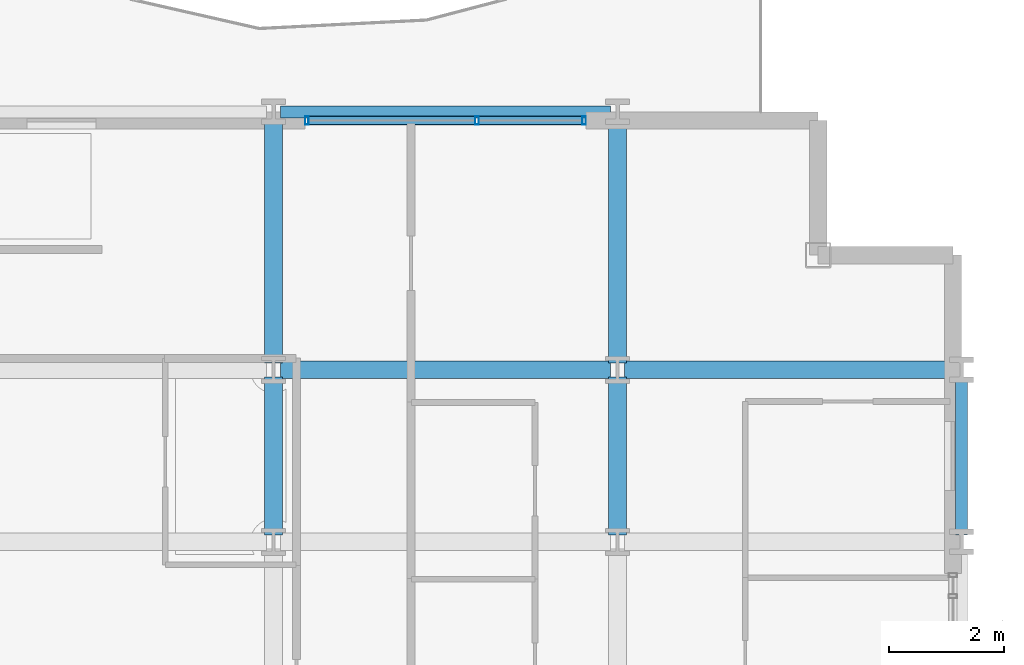
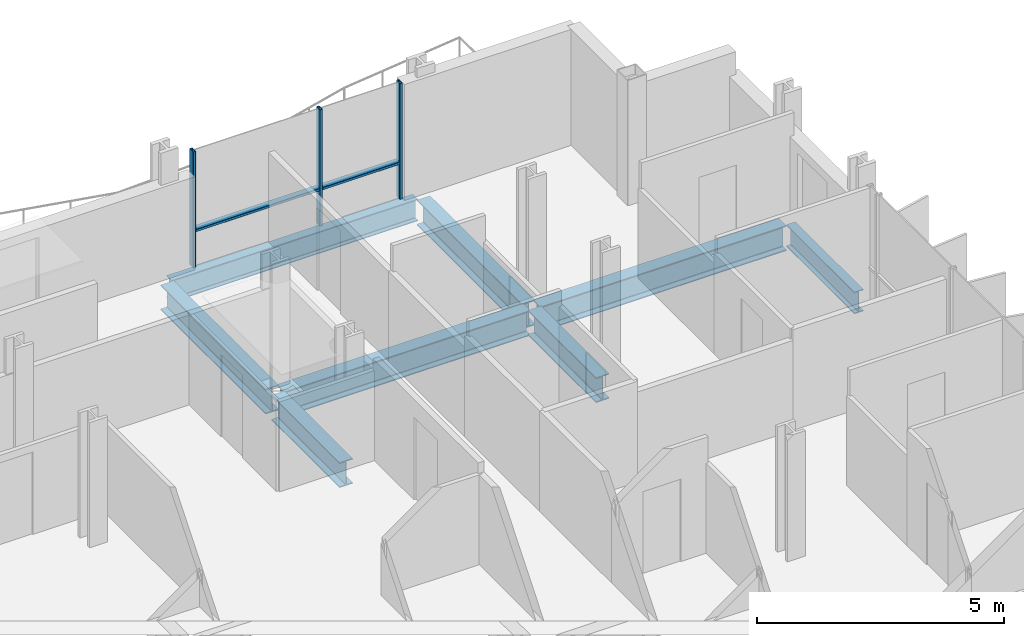
# One storey, part 20 of 38: 8 beams, 5 members, 1 element without a shape of its own.
"""IFC4 building model written with IfcOpenShell, lengths in metres."""

from ifc_helpers import new_model, si_unit, direction, frame, origin, origin_2d, place, context, subcontext, project, spatial, hollow_rectangle, i_section, extrude, material, layer, layer_set, material_profile, profile_set, type_object, element, aggregate, save


model = new_model("IFC4")

# Units and contexts
model_context = context("Model", 3, precision=1e-05, world=origin(), true_north=direction((0.0, 1.0)))
body_context = subcontext(model_context, "Body", "Model", "MODEL_VIEW")
ifc_project = project(units=[si_unit("LENGTHUNIT", "METRE"), si_unit("AREAUNIT", "SQUARE_METRE"), si_unit("VOLUMEUNIT", "CUBIC_METRE"), si_unit("PLANEANGLEUNIT", "RADIAN"), si_unit("MASSUNIT", "GRAM", prefix="KILO")], contexts=[model_context])

# Site, building, storey
site_placement = place(None, origin())
site = spatial("IfcSite", under=ifc_project, at=site_placement, CompositionType="ELEMENT")
building_placement = place(site_placement, origin())
building = spatial("IfcBuilding", under=site, at=building_placement, Name="Brevholm Reach", CompositionType="ELEMENT")
storey_placement = place(building_placement, frame((0.0, 0.0, 46.60009765625)))
storey = spatial("IfcBuildingStorey", under=building, at=storey_placement, Name="L12", CompositionType="ELEMENT", Elevation=46.60009765625)

# Beams
ifc_material_1 = material(Name="Structural Steel S355J2", Category="steel")
ifc_material_profile_1 = material_profile(ifc_material_1, i_section(OverallWidth=0.210693359375, OverallDepth=0.53955078125, WebThickness=0.01171875, FlangeThickness=0.018798828125, FilletRadius=0.0126953125, at=origin_2d()), Name="UKB 533x210x109")
ifc_profile_set_1 = profile_set([ifc_material_profile_1], Name="Structural Steel S355J2")
beam_type_1 = type_object("IfcBeamType", Name="BM-SP539", PredefinedType="SPANDREL", material=ifc_profile_set_1)
beam_1_placement = place(storey_placement, frame((48.1201171875, 31.0, -0.499755859375), z_axis=(1.0, 0.0, 0.0), x_axis=(0.0, 1.0, 0.0)))
element("IfcBeam", 1, at=beam_1_placement, inside=storey, type_object=beam_type_1, Name="L12 SP-01B Framing Beam", PredefinedType="SPANDREL", context=body_context, shape_type="SweptSolid", body=[
    extrude(i_section(OverallWidth=0.210693359375, OverallDepth=0.53955078125, WebThickness=0.01171875, FlangeThickness=0.018798828125, FilletRadius=0.0126953125, at=origin_2d()), origin(), (0.0, 0.0, 1.0), 5.759765625),
])
beam_2_placement = place(storey_placement, frame((60.0, 23.6201171875, -0.499755859375), z_axis=(0.0, 1.0, 0.0), x_axis=(-1.0, 0.0, 0.0)))
element("IfcBeam", 2, at=beam_2_placement, inside=storey, type_object=beam_type_1, Name="L12 SP-01B Framing Beam", PredefinedType="SPANDREL", context=body_context, shape_type="SweptSolid", body=[
    extrude(i_section(OverallWidth=0.210693359375, OverallDepth=0.53955078125, WebThickness=0.01171875, FlangeThickness=0.018798828125, FilletRadius=0.0126953125, at=origin_2d()), origin(), (0.0, 0.0, 1.0), 2.759765625),
])
ifc_material_2 = material(Name="Structural Steel S355J2", Category="steel")
ifc_material_profile_2 = material_profile(ifc_material_2, i_section(OverallWidth=0.30712890625, OverallDepth=0.6201171875, WebThickness=0.01416015625, FlangeThickness=0.023681640625, FilletRadius=0.0166015625, at=origin_2d()), Name="UKB 610x305x179")
ifc_profile_set_2 = profile_set([ifc_material_profile_2], Name="Structural Steel S355J2")
beam_type_2 = type_object("IfcBeamType", Name="BM-UKB610H", PredefinedType="USERDEFINED", material=ifc_profile_set_2)
for number, where, z_axis, x_axis, name in (
    (3, (48.1201171875, 26.5, -0.540283203125), (1.0, 0.0, 0.0), (0.0, 1.0, 0.0), "L12 G-06 Framing Beam"),
    (4, (54.1201171875, 26.5, -0.540283203125), (1.0, 0.0, 0.0), (0.0, 1.0, 0.0), "L12 G-06 Framing Beam"),
):
    element("IfcBeam", number, at=place(storey_placement, frame(where, z_axis=z_axis, x_axis=x_axis)), inside=storey, type_object=beam_type_2, Name=name, ObjectType="GIRDER", PredefinedType="USERDEFINED", context=body_context, shape_type="SweptSolid", body=[
        extrude(i_section(OverallWidth=0.30712890625, OverallDepth=0.6201171875, WebThickness=0.01416015625, FlangeThickness=0.023681640625, FilletRadius=0.0166015625, at=origin_2d()), origin(), (0.0, 0.0, 1.0), 5.759765625),
    ])
beam_3_placement = place(storey_placement, frame((48.0, 23.6201171875, -0.540283203125), z_axis=(0.0, 1.0, 0.0), x_axis=(-1.0, 0.0, 0.0)))
element("IfcBeam", 5, at=beam_3_placement, inside=storey, type_object=beam_type_2, Name="L12 G-06 Framing Beam", ObjectType="GIRDER", PredefinedType="USERDEFINED", context=body_context, shape_type="SweptSolid", body=[
    extrude(i_section(OverallWidth=0.30712890625, OverallDepth=0.6201171875, WebThickness=0.01416015625, FlangeThickness=0.023681640625, FilletRadius=0.0166015625, at=origin_2d()), origin(), (0.0, 0.0, 1.0), 2.759765625),
])
beam_4_placement = place(storey_placement, frame((48.0, 26.6201171875, -0.540283203125), z_axis=(0.0, 1.0, 0.0), x_axis=(-1.0, 0.0, 0.0)))
element("IfcBeam", 6, at=beam_4_placement, inside=storey, type_object=beam_type_2, Name="L12 G-06 Framing Beam", ObjectType="GIRDER", PredefinedType="USERDEFINED", context=body_context, shape_type="SweptSolid", body=[
    extrude(i_section(OverallWidth=0.30712890625, OverallDepth=0.6201171875, WebThickness=0.01416015625, FlangeThickness=0.023681640625, FilletRadius=0.0166015625, at=origin_2d()), origin(), (0.0, 0.0, 1.0), 4.259765625),
])
beam_5_placement = place(storey_placement, frame((54.0, 23.6201171875, -0.540283203125), z_axis=(0.0, 1.0, 0.0), x_axis=(-1.0, 0.0, 0.0)))
element("IfcBeam", 7, at=beam_5_placement, inside=storey, type_object=beam_type_2, Name="L12 G-06 Framing Beam", ObjectType="GIRDER", PredefinedType="USERDEFINED", context=body_context, shape_type="SweptSolid", body=[
    extrude(i_section(OverallWidth=0.30712890625, OverallDepth=0.6201171875, WebThickness=0.01416015625, FlangeThickness=0.023681640625, FilletRadius=0.0166015625, at=origin_2d()), origin(), (0.0, 0.0, 1.0), 2.759765625),
])
beam_6_placement = place(storey_placement, frame((54.0, 26.6201171875, -0.540283203125), z_axis=(0.0, 1.0, 0.0), x_axis=(-1.0, 0.0, 0.0)))
element("IfcBeam", 8, at=beam_6_placement, inside=storey, type_object=beam_type_2, Name="L12 G-06 Framing Beam", ObjectType="GIRDER", PredefinedType="USERDEFINED", context=body_context, shape_type="SweptSolid", body=[
    extrude(i_section(OverallWidth=0.30712890625, OverallDepth=0.6201171875, WebThickness=0.01416015625, FlangeThickness=0.023681640625, FilletRadius=0.0166015625, at=origin_2d()), origin(), (0.0, 0.0, 1.0), 4.259765625),
])

# Curtain wall, members
ifc_material_3 = material(Name="Dark Anodised Aluminium 6063-T6 and Solar-Control Glass", Category="aluminium")
ifc_layer = layer(ifc_material_3, 0.14990234375)
ifc_layer_set = layer_set([ifc_layer], Name="Dark Anodised Aluminium 6063-T6 and Solar-Control Glass")
curtain_wall_type = type_object("IfcCurtainWallType", Name="CW-01", PredefinedType="NOTDEFINED", material=ifc_layer_set)
curtain_wall_placement = place(storey_placement, origin())
curtain_wall = element("IfcCurtainWall", 9, at=curtain_wall_placement, inside=storey, type_object=curtain_wall_type, Name="L12 Curtain Wall CW-01", PredefinedType="NOTDEFINED")
ifc_material_4 = material(Name="Dark Anodised Aluminium 6063-T6", Category="aluminium")
ifc_material_profile_3 = material_profile(ifc_material_4, hollow_rectangle(XDim=0.06494140625, YDim=0.14990234375, WallThickness=0.0048828125, InnerFilletRadius=0.0048828125, OuterFilletRadius=0.010009765625, at=origin_2d()), Name="RHS 150x65x5")
ifc_profile_set_3 = profile_set([ifc_material_profile_3], Name="Dark Anodised Aluminium 6063-T6")
member_type_1 = type_object("IfcMemberType", Name="CWM-150", PredefinedType="MULLION", material=ifc_profile_set_3)
member_1_placement = place(storey_placement, frame((48.58251953125, 30.85009765625, 0.0), z_axis=(0.0, 0.0, 1.0), x_axis=(1.0, 0.0, 0.0)))
member_1 = element("IfcMember", 10, at=member_1_placement, type_object=member_type_1, Name="CM-150 Mullion 1", PredefinedType="MULLION", context=body_context, shape_type="SweptSolid", body=[
    extrude(hollow_rectangle(XDim=0.06494140625, YDim=0.14990234375, WallThickness=0.0048828125, InnerFilletRadius=0.0048828125, OuterFilletRadius=0.010009765625, at=origin_2d()), origin(), (0.0, 0.0, 1.0), 2.869873046875),
])
member_2_placement = place(storey_placement, frame((51.550048828125, 30.85009765625, 0.0), z_axis=(0.0, 0.0, 1.0), x_axis=(1.0, 0.0, 0.0)))
member_2 = element("IfcMember", 11, at=member_2_placement, type_object=member_type_1, Name="CM-150 Mullion 2", PredefinedType="MULLION", context=body_context, shape_type="SweptSolid", body=[
    extrude(hollow_rectangle(XDim=0.06494140625, YDim=0.14990234375, WallThickness=0.0048828125, InnerFilletRadius=0.0048828125, OuterFilletRadius=0.010009765625, at=origin_2d()), origin(), (0.0, 0.0, 1.0), 2.869873046875),
])
member_3_placement = place(storey_placement, frame((53.41748046875, 30.85009765625, 0.0), z_axis=(0.0, 0.0, 1.0), x_axis=(1.0, 0.0, 0.0)))
member_3 = element("IfcMember", 12, at=member_3_placement, type_object=member_type_1, Name="CM-150 Mullion 3", PredefinedType="MULLION", context=body_context, shape_type="SweptSolid", body=[
    extrude(hollow_rectangle(XDim=0.06494140625, YDim=0.14990234375, WallThickness=0.0048828125, InnerFilletRadius=0.0048828125, OuterFilletRadius=0.010009765625, at=origin_2d()), origin(), (0.0, 0.0, 1.0), 2.869873046875),
])
ifc_material_5 = material(Name="Dark Anodised Aluminium 6063-T6", Category="aluminium")
ifc_material_profile_4 = material_profile(ifc_material_5, hollow_rectangle(XDim=0.06494140625, YDim=0.14990234375, WallThickness=0.0048828125, InnerFilletRadius=0.0048828125, OuterFilletRadius=0.010009765625, at=origin_2d()), Name="RHS 150x65x5")
ifc_profile_set_4 = profile_set([ifc_material_profile_4], Name="Dark Anodised Aluminium 6063-T6")
member_type_2 = type_object("IfcMemberType", Name="CWT-150", PredefinedType="NOTDEFINED", material=ifc_profile_set_4)
member_4_placement = place(storey_placement, frame((48.614990234375, 30.85009765625, 0.89990234375), z_axis=(1.0, 0.0, 0.0), x_axis=(0.0, 0.0, 1.0)))
member_4 = element("IfcMember", 13, at=member_4_placement, type_object=member_type_2, Name="CT-150 Transom 1.1", ObjectType="TRANSOM", PredefinedType="USERDEFINED", context=body_context, shape_type="SweptSolid", body=[
    extrude(hollow_rectangle(XDim=0.06494140625, YDim=0.14990234375, WallThickness=0.0048828125, InnerFilletRadius=0.0048828125, OuterFilletRadius=0.010009765625, at=origin_2d()), origin(), (0.0, 0.0, 1.0), 2.902587890625),
])
member_5_placement = place(storey_placement, frame((51.58251953125, 30.85009765625, 0.89990234375), z_axis=(1.0, 0.0, 0.0), x_axis=(0.0, 0.0, 1.0)))
member_5 = element("IfcMember", 14, at=member_5_placement, type_object=member_type_2, Name="CT-150 Transom 2.1", ObjectType="TRANSOM", PredefinedType="USERDEFINED", context=body_context, shape_type="SweptSolid", body=[
    extrude(hollow_rectangle(XDim=0.06494140625, YDim=0.14990234375, WallThickness=0.0048828125, InnerFilletRadius=0.0048828125, OuterFilletRadius=0.010009765625, at=origin_2d()), origin(), (0.0, 0.0, 1.0), 1.802490234375),
])
aggregate(curtain_wall, [member_1, member_2, member_3, member_4, member_5])

save(model, "model.ifc")
